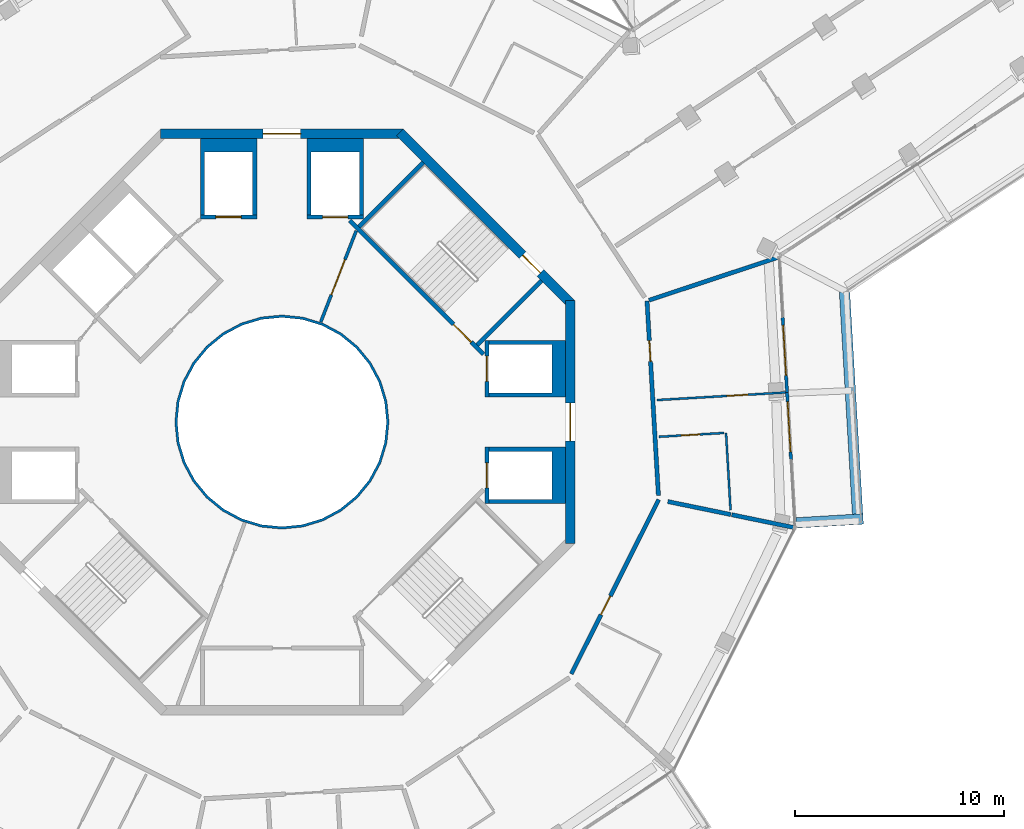
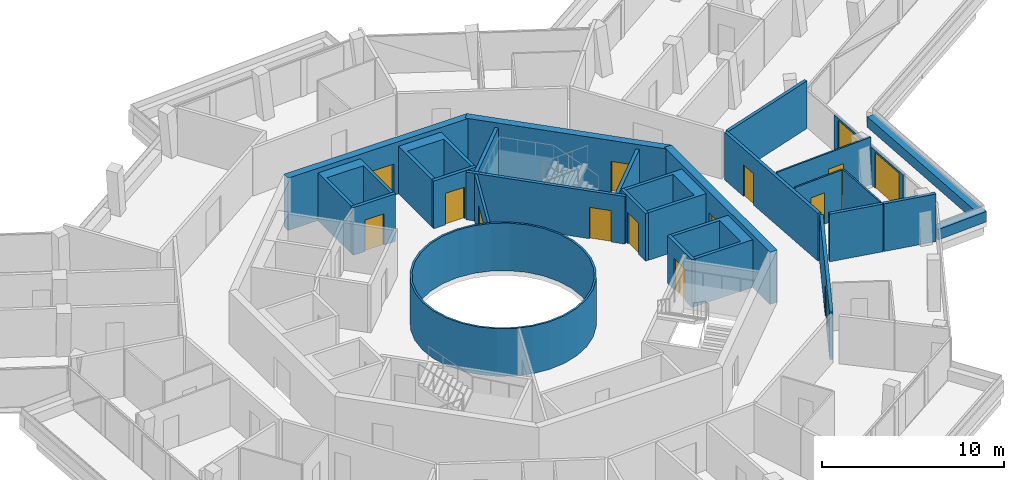
# One storey, part 21 of 26: 28 walls, 15 doors, 15 openings.
"""IFC4 building model written with IfcOpenShell, lengths in metres."""

from ifc_helpers import new_model, si_unit, direction, frame, frame_2d, origin, place, context, subcontext, project, spatial, polyline, rectangle, outline, extrude, material, layer, layer_set, type_object, element, fill, save


model = new_model("IFC4")

# Units and contexts
model_context = context("Model", 3, precision=1e-05, world=origin(), true_north=direction((0.0, 1.0)))
body_context = subcontext(model_context, "Body", "Model", "MODEL_VIEW")
ifc_project = project(units=[si_unit("LENGTHUNIT", "METRE"), si_unit("AREAUNIT", "SQUARE_METRE"), si_unit("VOLUMEUNIT", "CUBIC_METRE"), si_unit("PLANEANGLEUNIT", "RADIAN"), si_unit("MASSUNIT", "GRAM", prefix="KILO")], contexts=[model_context])

# Site, building, storey
site_placement = place(None, origin())
site = spatial("IfcSite", under=ifc_project, at=site_placement, CompositionType="ELEMENT")
building_placement = place(site_placement, origin())
building = spatial("IfcBuilding", under=site, at=building_placement, Name="Verdalira Terraces Hotel", CompositionType="ELEMENT")
storey_placement = place(building_placement, frame((0.0, 0.0, 291.5)))
storey = spatial("IfcBuildingStorey", under=building, at=storey_placement, Name="L72", CompositionType="ELEMENT", Elevation=291.5)

# Walls
ifc_material_1 = material(Name="Fire-resisting glass EI 180", Category="glass")
ifc_layer_1 = layer(ifc_material_1, 0.1201171875)
ifc_layer_set_1 = layer_set([ifc_layer_1], Name="Atrium fire screen 120 mm")
wall_type_1 = type_object("IfcWallType", Name="Atrium fire screen 120 mm", PredefinedType="SOLIDWALL", material=ifc_layer_set_1)
wall_1_placement = place(storey_placement, origin())
element("IfcWall", 1, at=wall_1_placement, inside=storey, type_object=wall_type_1, Name="Atrium fire screen", PredefinedType="SOLIDWALL", context=body_context, shape_type="SweptSolid", body=[
    extrude(outline(polyline([(5.021484, -0.998779), (4.730225, -1.959229), (4.25708, -2.844482), (3.620361, -3.620361), (2.844482, -4.25708), (1.959229, -4.730225), (0.998779, -5.021484), (0.0, -5.120117), (-0.998779, -5.021484), (-1.959229, -4.730225), (-2.844482, -4.25708), (-3.620361, -3.620361), (-4.25708, -2.844482), (-4.730225, -1.959229), (-5.021484, -0.998779), (-5.120117, 0.0), (-5.021484, 0.998779), (-4.730225, 1.959229), (-4.25708, 2.844482), (-3.620361, 3.620361), (-2.844482, 4.25708), (-1.959229, 4.730225), (-0.998779, 5.021484), (0.0, 5.120117), (0.998779, 5.021484), (1.959229, 4.730225), (2.844482, 4.25708), (3.620361, 3.620361), (4.25708, 2.844482), (4.730225, 1.959229), (5.021484, 0.998779), (5.120117, 0.0), (5.021484, -0.998779)]), holes=[polyline([(4.903809, 0.975586), (4.619385, 1.91333), (4.157227, 2.777832), (3.5354, 3.5354), (2.777832, 4.157227), (1.91333, 4.619385), (0.975586, 4.903809), (0.0, 5.0), (-0.975586, 4.903809), (-1.91333, 4.619385), (-2.777832, 4.157227), (-3.5354, 3.5354), (-4.157227, 2.777832), (-4.619385, 1.91333), (-4.903809, 0.975586), (-5.0, 0.0), (-4.903809, -0.975586), (-4.619385, -1.91333), (-4.157227, -2.777832), (-3.5354, -3.5354), (-2.777832, -4.157227), (-1.91333, -4.619385), (-0.975586, -4.903809), (0.0, -5.0), (0.975586, -4.903809), (1.91333, -4.619385), (2.777832, -4.157227), (3.5354, -3.5354), (4.157227, -2.777832), (4.619385, -1.91333), (4.903809, -0.975586), (5.0, 0.0), (4.903809, 0.975586)])]), origin(), (0.0, 0.0, 1.0), 3.189941),
])
ifc_material_2 = material(Name="Concrete C40", Category="concrete")
ifc_layer_2 = layer(ifc_material_2, 0.5)
ifc_layer_set_2 = layer_set([ifc_layer_2], Name="Balcony planter trough with tree")
wall_type_2 = type_object("IfcWallType", Name="Balcony planter trough with tree", PredefinedType="SOLIDWALL", material=ifc_layer_set_2)
wall_2_placement = place(storey_placement, frame((24.583984, -4.817383, 0.0), z_axis=(0.0, 0.0, 1.0), x_axis=(0.998280684, 0.058614646, 0.0)))
element("IfcWall", 2, at=wall_2_placement, inside=storey, type_object=wall_type_2, Name="Balcony planter", PredefinedType="SOLIDWALL", context=body_context, shape_type="SweptSolid", body=[
    extrude(rectangle(XDim=3.198975, YDim=0.5, at=frame_2d((1.599609, 0.0))), origin(), (0.0, 0.0, 1.0), 0.699951),
])
wall_3_placement = place(storey_placement, frame((27.513184, -4.39502, 0.0), z_axis=(0.0, 0.0, 1.0), x_axis=(-0.05860245, 0.9982814, 0.0)))
element("IfcWall", 3, at=wall_3_placement, inside=storey, type_object=wall_type_2, Name="Balcony planter", PredefinedType="SOLIDWALL", context=body_context, shape_type="SweptSolid", body=[
    extrude(rectangle(XDim=10.652588, YDim=0.5, at=frame_2d((5.326172, 0.0))), origin(), (0.0, 0.0, 1.0), 0.699951),
])

# Wall, opening, door
ifc_material_3 = material(Name="Moisture-resistant gypsum board partition")
ifc_layer_3 = layer(ifc_material_3, 0.10009765625)
ifc_layer_set_3 = layer_set([ifc_layer_3], Name="Bathroom partition 100 mm")
wall_type_3 = type_object("IfcWallType", Name="Bathroom partition 100 mm", PredefinedType="PARTITIONING", material=ifc_layer_set_3)
wall_4_placement = place(storey_placement, frame((21.125244, -0.520996, 0.0), z_axis=(0.0, 0.0, 1.0), x_axis=(-0.998277359, -0.05867124, 0.0)))
wall_4 = element("IfcWall", 4, at=wall_4_placement, inside=storey, type_object=wall_type_3, Name="Bathroom partition", PredefinedType="PARTITIONING", context=body_context, shape_type="SweptSolid", body=[
    extrude(rectangle(XDim=3.100098, YDim=0.100098, at=frame_2d((1.550049, 0.0))), origin(), (0.0, 0.0, 1.0), 3.189941),
])
opening_1_placement = place(wall_4_placement, frame((1.149902, 0.0, 0.0)))
opening_1 = element("IfcOpeningElement", 5, at=opening_1_placement, cuts=wall_4, Name="Opening L72-123", PredefinedType="OPENING", context=body_context, shape_type="SweptSolid", body=[
    extrude(rectangle(XDim=0.899902, YDim=2.100098, at=frame_2d((0.449951, 1.050049))), frame((0.0, 0.060059, 0.0), z_axis=(0.0, -1.0, 0.0), x_axis=(1.0, 0.0, 0.0)), (0.0, 0.0, 1.0), 0.120117),
])
ifc_material_4 = material(Name="Timber door", Category="wood")
door_type_1 = type_object("IfcDoorType", Name="Bathroom door 900 x 2100", OperationType="NOTDEFINED", PredefinedType="DOOR", material=ifc_material_4)
door_1_placement = place(opening_1_placement, origin())
door_1 = element("IfcDoor", 6, at=door_1_placement, inside=storey, type_object=door_type_1, Name="Bathroom door 7208", OperationType="SINGLE_SWING_LEFT", OverallHeight=2.10009765625, OverallWidth=0.89990234375, PredefinedType="DOOR", context=body_context, shape_type="SweptSolid", body=[
    extrude(rectangle(XDim=0.899902, YDim=2.100098, at=frame_2d((0.449951, 1.050049))), frame((0.0, 0.024902, 0.0), z_axis=(0.0, -1.0, 0.0), x_axis=(1.0, 0.0, 0.0)), (0.0, 0.0, 1.0), 0.050049),
])
fill(opening_1, door_1)

wall_5_placement = place(storey_placement, frame((24.066895, 1.413086, 0.0), z_axis=(0.0, 0.0, 1.0), x_axis=(-0.998279571, -0.058633592, 0.0)))
wall_5 = element("IfcWall", 7, at=wall_5_placement, inside=storey, type_object=wall_type_3, Name="Bathroom partition", PredefinedType="PARTITIONING", context=body_context, shape_type="SweptSolid", body=[
    extrude(rectangle(XDim=6.149902, YDim=0.100098, at=frame_2d((3.074951, 0.0))), origin(), (0.0, 0.0, 1.0), 3.189941),
])
opening_2_placement = place(wall_5_placement, frame((1.800049, 0.0, 0.0)))
opening_2 = element("IfcOpeningElement", 8, at=opening_2_placement, cuts=wall_5, Name="Opening L72-122", PredefinedType="OPENING", context=body_context, shape_type="SweptSolid", body=[
    extrude(rectangle(XDim=1.0, YDim=2.100098, at=frame_2d((0.5, 1.050049))), frame((0.0, 0.060059, 0.0), z_axis=(0.0, -1.0, 0.0), x_axis=(1.0, 0.0, 0.0)), (0.0, 0.0, 1.0), 0.120117),
])
ifc_material_5 = material(Name="Timber door", Category="wood")
door_type_2 = type_object("IfcDoorType", Name="Suite internal door 1000 x 2100", OperationType="NOTDEFINED", PredefinedType="DOOR", material=ifc_material_5)
door_2_placement = place(opening_2_placement, origin())
door_2 = element("IfcDoor", 9, at=door_2_placement, inside=storey, type_object=door_type_2, Name="Suite internal door 7208", OperationType="SINGLE_SWING_LEFT", OverallHeight=2.10009765625, OverallWidth=1.0, PredefinedType="DOOR", context=body_context, shape_type="SweptSolid", body=[
    extrude(rectangle(XDim=1.0, YDim=2.100098, at=frame_2d((0.5, 1.050049))), frame((0.0, 0.024902, 0.0), z_axis=(0.0, -1.0, 0.0), x_axis=(1.0, 0.0, 0.0)), (0.0, 0.0, 1.0), 0.050049),
])
fill(opening_2, door_2)

# Walls
wall_6_placement = place(storey_placement, frame((21.442139, -4.212891, 0.0), z_axis=(0.0, 0.0, 1.0), x_axis=(-0.058594519, 0.998281865, 0.0)))
element("IfcWall", 10, at=wall_6_placement, inside=storey, type_object=wall_type_3, Name="Bathroom partition", PredefinedType="PARTITIONING", context=body_context, shape_type="SweptSolid", body=[
    extrude(rectangle(XDim=3.704102, YDim=0.100098, at=frame_2d((1.852051, 0.0))), origin(), (0.0, 0.0, 1.0), 3.189941),
])
ifc_material_6 = material(Name="Concrete C50", Category="concrete")
ifc_layer_4 = layer(ifc_material_6, 0.199951171875)
ifc_layer_set_4 = layer_set([ifc_layer_4], Name="Core RC wall 200 C50")
wall_type_4 = type_object("IfcWallType", Name="Core RC wall 200 C50", PredefinedType="SOLIDWALL", material=ifc_layer_set_4)
wall_7_placement = place(storey_placement, origin())
element("IfcWall", 11, at=wall_7_placement, inside=storey, type_object=wall_type_4, Name="L72 shaft wall E1", PredefinedType="SOLIDWALL", context=body_context, shape_type="SweptSolid", body=[
    extrude(outline(polyline([(13.550049, -3.899902), (9.899902, -3.899902), (9.899902, -3.699951), (12.899902, -3.699951), (12.899902, -1.399902), (9.899902, -1.399902), (9.899902, -1.199951), (13.550049, -1.199951), (13.550049, -3.899902)])), origin(), (0.0, 0.0, 1.0), 3.189941),
])

# Wall, opening, door
wall_8_placement = place(storey_placement, frame((9.800049, -1.199951, 0.0), z_axis=(0.0, 0.0, 1.0), x_axis=(0.0, -1.0, 0.0)))
wall_8 = element("IfcWall", 12, at=wall_8_placement, inside=storey, type_object=wall_type_4, Name="L72 shaft front wall E1", PredefinedType="SOLIDWALL", context=body_context, shape_type="SweptSolid", body=[
    extrude(rectangle(XDim=2.699951, YDim=0.199951, at=frame_2d((1.350098, 0.0))), origin(), (0.0, 0.0, 1.0), 3.189941),
])
opening_3_placement = place(wall_8_placement, frame((0.75, 0.0, 0.0)))
opening_3 = element("IfcOpeningElement", 13, at=opening_3_placement, cuts=wall_8, Name="Opening LD-L72-802", PredefinedType="OPENING", context=body_context, shape_type="SweptSolid", body=[
    extrude(rectangle(XDim=1.199951, YDim=2.100098, at=frame_2d((0.600098, 1.050049))), frame((0.0, 0.109863, 0.0), z_axis=(0.0, -1.0, 0.0), x_axis=(1.0, 0.0, 0.0)), (0.0, 0.0, 1.0), 0.219971),
])
ifc_material_7 = material(Name="Stainless steel", Category="steel")
door_type_3 = type_object("IfcDoorType", Name="Landing door 1200 x 2100", OperationType="NOTDEFINED", PredefinedType="DOOR", material=ifc_material_7)
door_3_placement = place(opening_3_placement, origin())
door_3 = element("IfcDoor", 14, at=door_3_placement, inside=storey, type_object=door_type_3, Name="Lift landing door HR1 L72", OperationType="DOUBLE_DOOR_SLIDING", OverallHeight=2.10009765625, OverallWidth=1.199951171875, PredefinedType="DOOR", context=body_context, shape_type="SweptSolid", body=[
    extrude(rectangle(XDim=1.199951, YDim=2.100098, at=frame_2d((0.600098, 1.050049))), frame((0.0, 0.024902, 0.0), z_axis=(0.0, -1.0, 0.0), x_axis=(1.0, 0.0, 0.0)), (0.0, 0.0, 1.0), 0.050049),
])
fill(opening_3, door_3)

# Wall
wall_9_placement = place(storey_placement, origin())
element("IfcWall", 15, at=wall_9_placement, inside=storey, type_object=wall_type_4, Name="L72 shaft wall E2", PredefinedType="SOLIDWALL", context=body_context, shape_type="SweptSolid", body=[
    extrude(outline(polyline([(13.550049, 3.899902), (13.550049, 1.199951), (9.899902, 1.199951), (9.899902, 1.399902), (12.899902, 1.399902), (12.899902, 3.699951), (9.899902, 3.699951), (9.899902, 3.899902), (13.550049, 3.899902)])), origin(), (0.0, 0.0, 1.0), 3.189941),
])

# Wall, opening, door
wall_10_placement = place(storey_placement, frame((9.800049, 1.199951, 0.0), z_axis=(0.0, 0.0, 1.0), x_axis=(0.0, 1.0, 0.0)))
wall_10 = element("IfcWall", 16, at=wall_10_placement, inside=storey, type_object=wall_type_4, Name="L72 shaft front wall E2", PredefinedType="SOLIDWALL", context=body_context, shape_type="SweptSolid", body=[
    extrude(rectangle(XDim=2.699951, YDim=0.199951, at=frame_2d((1.350098, 0.0))), origin(), (0.0, 0.0, 1.0), 3.189941),
])
opening_4_placement = place(wall_10_placement, frame((0.75, 0.0, 0.0)))
opening_4 = element("IfcOpeningElement", 17, at=opening_4_placement, cuts=wall_10, Name="Opening LD-L72-803", PredefinedType="OPENING", context=body_context, shape_type="SweptSolid", body=[
    extrude(rectangle(XDim=1.199951, YDim=2.100098, at=frame_2d((0.600098, 1.050049))), frame((0.0, 0.109863, 0.0), z_axis=(0.0, -1.0, 0.0), x_axis=(1.0, 0.0, 0.0)), (0.0, 0.0, 1.0), 0.219971),
])
door_4_placement = place(opening_4_placement, origin())
door_4 = element("IfcDoor", 18, at=door_4_placement, inside=storey, type_object=door_type_3, Name="Lift landing door HR2 L72", OperationType="DOUBLE_DOOR_SLIDING", OverallHeight=2.10009765625, OverallWidth=1.199951171875, PredefinedType="DOOR", context=body_context, shape_type="SweptSolid", body=[
    extrude(rectangle(XDim=1.199951, YDim=2.100098, at=frame_2d((0.600098, 1.050049))), frame((0.0, 0.024902, 0.0), z_axis=(0.0, -1.0, 0.0), x_axis=(1.0, 0.0, 0.0)), (0.0, 0.0, 1.0), 0.050049),
])
fill(opening_4, door_4)

# Wall
wall_11_placement = place(storey_placement, origin())
element("IfcWall", 19, at=wall_11_placement, inside=storey, type_object=wall_type_4, Name="L72 shaft wall N1", PredefinedType="SOLIDWALL", context=body_context, shape_type="SweptSolid", body=[
    extrude(outline(polyline([(3.899902, 9.899902), (3.699951, 9.899902), (3.699951, 12.899902), (1.399902, 12.899902), (1.399902, 9.899902), (1.199951, 9.899902), (1.199951, 13.550049), (3.899902, 13.550049), (3.899902, 9.899902)])), origin(), (0.0, 0.0, 1.0), 3.189941),
])

# Wall, opening, door
wall_12_placement = place(storey_placement, frame((1.199951, 9.800049, 0.0), z_axis=(0.0, 0.0, 1.0), x_axis=(1.0, 0.0, 0.0)))
wall_12 = element("IfcWall", 20, at=wall_12_placement, inside=storey, type_object=wall_type_4, Name="L72 shaft front wall N1", PredefinedType="SOLIDWALL", context=body_context, shape_type="SweptSolid", body=[
    extrude(rectangle(XDim=2.699951, YDim=0.199951, at=frame_2d((1.350098, 0.0))), origin(), (0.0, 0.0, 1.0), 3.189941),
])
opening_5_placement = place(wall_12_placement, frame((0.75, 0.0, 0.0)))
opening_5 = element("IfcOpeningElement", 21, at=opening_5_placement, cuts=wall_12, Name="Opening LD-L72-804", PredefinedType="OPENING", context=body_context, shape_type="SweptSolid", body=[
    extrude(rectangle(XDim=1.199951, YDim=2.100098, at=frame_2d((0.600098, 1.050049))), frame((0.0, 0.109863, 0.0), z_axis=(0.0, -1.0, 0.0), x_axis=(1.0, 0.0, 0.0)), (0.0, 0.0, 1.0), 0.219971),
])
door_5_placement = place(opening_5_placement, origin())
door_5 = element("IfcDoor", 22, at=door_5_placement, inside=storey, type_object=door_type_3, Name="Lift landing door HR3 L72", OperationType="DOUBLE_DOOR_SLIDING", OverallHeight=2.10009765625, OverallWidth=1.199951171875, PredefinedType="DOOR", context=body_context, shape_type="SweptSolid", body=[
    extrude(rectangle(XDim=1.199951, YDim=2.100098, at=frame_2d((0.600098, 1.050049))), frame((0.0, 0.024902, 0.0), z_axis=(0.0, -1.0, 0.0), x_axis=(1.0, 0.0, 0.0)), (0.0, 0.0, 1.0), 0.050049),
])
fill(opening_5, door_5)

# Wall
wall_13_placement = place(storey_placement, origin())
element("IfcWall", 23, at=wall_13_placement, inside=storey, type_object=wall_type_4, Name="L72 shaft wall N2", PredefinedType="SOLIDWALL", context=body_context, shape_type="SweptSolid", body=[
    extrude(outline(polyline([(-3.899902, 13.550049), (-1.199951, 13.550049), (-1.199951, 9.899902), (-1.399902, 9.899902), (-1.399902, 12.899902), (-3.699951, 12.899902), (-3.699951, 9.899902), (-3.899902, 9.899902), (-3.899902, 13.550049)])), origin(), (0.0, 0.0, 1.0), 3.189941),
])

# Wall, opening, door
wall_14_placement = place(storey_placement, frame((-1.199951, 9.800049, 0.0), z_axis=(0.0, 0.0, 1.0), x_axis=(-1.0, 0.0, 0.0)))
wall_14 = element("IfcWall", 24, at=wall_14_placement, inside=storey, type_object=wall_type_4, Name="L72 shaft front wall N2", PredefinedType="SOLIDWALL", context=body_context, shape_type="SweptSolid", body=[
    extrude(rectangle(XDim=2.699951, YDim=0.199951, at=frame_2d((1.350098, 0.0))), origin(), (0.0, 0.0, 1.0), 3.189941),
])
opening_6_placement = place(wall_14_placement, frame((0.75, 0.0, 0.0)))
opening_6 = element("IfcOpeningElement", 25, at=opening_6_placement, cuts=wall_14, Name="Opening LD-L72-805", PredefinedType="OPENING", context=body_context, shape_type="SweptSolid", body=[
    extrude(rectangle(XDim=1.199951, YDim=2.100098, at=frame_2d((0.600098, 1.050049))), frame((0.0, 0.109863, 0.0), z_axis=(0.0, -1.0, 0.0), x_axis=(1.0, 0.0, 0.0)), (0.0, 0.0, 1.0), 0.219971),
])
door_6_placement = place(opening_6_placement, origin())
door_6 = element("IfcDoor", 26, at=door_6_placement, inside=storey, type_object=door_type_3, Name="Lift landing door HR4 L72", OperationType="DOUBLE_DOOR_SLIDING", OverallHeight=2.10009765625, OverallWidth=1.199951171875, PredefinedType="DOOR", context=body_context, shape_type="SweptSolid", body=[
    extrude(rectangle(XDim=1.199951, YDim=2.100098, at=frame_2d((0.600098, 1.050049))), frame((0.0, 0.024902, 0.0), z_axis=(0.0, -1.0, 0.0), x_axis=(1.0, 0.0, 0.0)), (0.0, 0.0, 1.0), 0.050049),
])
fill(opening_6, door_6)

wall_15_placement = place(storey_placement, frame((3.23999, 9.629395, 0.0), z_axis=(0.0, 0.0, 1.0), x_axis=(0.707106781, -0.707106781, 0.0)))
wall_15 = element("IfcWall", 27, at=wall_15_placement, inside=storey, type_object=wall_type_4, Name="L72 stair ST1 front wall", PredefinedType="SOLIDWALL", context=body_context, shape_type="SweptSolid", body=[
    extrude(rectangle(XDim=9.035889, YDim=0.199951, at=frame_2d((4.518066, 0.0))), origin(), (0.0, 0.0, 1.0), 3.189941),
])
opening_7_placement = place(wall_15_placement, frame((7.017822, 0.0, 0.0)))
opening_7 = element("IfcOpeningElement", 28, at=opening_7_placement, cuts=wall_15, Name="Opening L72-810", PredefinedType="OPENING", context=body_context, shape_type="SweptSolid", body=[
    extrude(rectangle(XDim=1.199951, YDim=2.100098, at=frame_2d((0.600098, 1.050049))), frame((0.0, 0.109863, 0.0), z_axis=(0.0, -1.0, 0.0), x_axis=(1.0, 0.0, 0.0)), (0.0, 0.0, 1.0), 0.219971),
])
ifc_material_8 = material(Name="Steel fire door", Category="steel")
door_type_4 = type_object("IfcDoorType", Name="Stair door 1200 x 2100", OperationType="NOTDEFINED", PredefinedType="DOOR", material=ifc_material_8)
door_7_placement = place(opening_7_placement, origin())
door_7 = element("IfcDoor", 29, at=door_7_placement, inside=storey, type_object=door_type_4, Name="Stair door ST1 L72", OperationType="SINGLE_SWING_RIGHT", OverallHeight=2.10009765625, OverallWidth=1.199951171875, PredefinedType="DOOR", context=body_context, shape_type="SweptSolid", body=[
    extrude(rectangle(XDim=1.199951, YDim=2.100098, at=frame_2d((0.600098, 1.050049))), frame((0.0, 0.024902, 0.0), z_axis=(0.0, -1.0, 0.0), x_axis=(1.0, 0.0, 0.0)), (0.0, 0.0, 1.0), 0.050049),
])
fill(opening_7, door_7)

# Walls
for number, where, z_axis, x_axis, name in (
    (30, (9.33374, 3.677002, 0.0), (0.0, 0.0, 1.0), (0.707106781, 0.707106781, 0.0), "L72 stair ST1 end wall 1"),
    (31, (3.677002, 9.33374, 0.0), (0.0, 0.0, 1.0), (0.707106781, 0.707106781, 0.0), "L72 stair ST1 end wall 2"),
):
    element("IfcWall", number, at=place(storey_placement, frame(where, z_axis=z_axis, x_axis=x_axis)), inside=storey, type_object=wall_type_4, Name=name, PredefinedType="SOLIDWALL", context=body_context, shape_type="SweptSolid", body=[
        extrude(rectangle(XDim=4.350098, YDim=0.199951, at=frame_2d((2.175049, 0.0))), origin(), (0.0, 0.0, 1.0), 3.189941),
    ])

# Wall, opening, door
ifc_material_9 = material(Name="Gypsum board partition")
ifc_layer_5 = layer(ifc_material_9, 0.14990234375)
ifc_layer_set_5 = layer_set([ifc_layer_5], Name="Core partition 150 mm")
wall_type_5 = type_object("IfcWallType", Name="Core partition 150 mm", PredefinedType="PARTITIONING", material=ifc_layer_set_5)
wall_16_placement = place(storey_placement, frame((1.857178, 4.781982, 0.0), z_axis=(0.0, 0.0, 1.0), x_axis=(0.36202798, 0.932167228, 0.0)))
wall_16 = element("IfcWall", 32, at=wall_16_placement, inside=storey, type_object=wall_type_5, Name="Gallery fire partition L72", PredefinedType="PARTITIONING", context=body_context, shape_type="SweptSolid", body=[
    extrude(rectangle(XDim=4.676025, YDim=0.149902, at=frame_2d((2.337891, 0.0))), origin(), (0.0, 0.0, 1.0), 3.189941),
])
opening_8_placement = place(wall_16_placement, frame((1.399902, 0.0, 0.0)))
opening_8 = element("IfcOpeningElement", 33, at=opening_8_placement, cuts=wall_16, Name="Opening L72-823", PredefinedType="OPENING", context=body_context, shape_type="SweptSolid", body=[
    extrude(rectangle(XDim=1.800049, YDim=2.100098, at=frame_2d((0.899902, 1.050049))), frame((0.0, 0.084961, 0.0), z_axis=(0.0, -1.0, 0.0), x_axis=(1.0, 0.0, 0.0)), (0.0, 0.0, 1.0), 0.169922),
])
ifc_material_10 = material(Name="Steel fire door", Category="steel")
door_type_5 = type_object("IfcDoorType", Name="Gallery fire door pair 1800 x 2100", OperationType="NOTDEFINED", PredefinedType="DOOR", material=ifc_material_10)
door_8_placement = place(opening_8_placement, origin())
door_8 = element("IfcDoor", 34, at=door_8_placement, inside=storey, type_object=door_type_5, Name="Door L72 split1", OperationType="DOUBLE_DOOR_SINGLE_SWING", OverallHeight=2.10009765625, OverallWidth=1.800048828125, PredefinedType="DOOR", context=body_context, shape_type="SweptSolid", body=[
    extrude(rectangle(XDim=1.800049, YDim=2.100098, at=frame_2d((0.899902, 1.050049))), frame((0.0, 0.024902, 0.0), z_axis=(0.0, -1.0, 0.0), x_axis=(1.0, 0.0, 0.0)), (0.0, 0.0, 1.0), 0.050049),
])
fill(opening_8, door_8)

ifc_material_11 = material(Name="Concrete C50", Category="concrete")
ifc_layer_6 = layer(ifc_material_11, 0.449951171875)
ifc_layer_set_6 = layer_set([ifc_layer_6], Name="Core wall 450 C50")
wall_type_6 = type_object("IfcWallType", Name="Core wall 450 C50", PredefinedType="SHEAR", material=ifc_layer_set_6)
wall_17_placement = place(storey_placement, frame((13.774902, -5.799072, 0.0), z_axis=(0.0, 0.0, 1.0), x_axis=(0.0, 1.0, 0.0)))
wall_17 = element("IfcWall", 35, at=wall_17_placement, inside=storey, type_object=wall_type_6, Name="Core wall CW-L72-1", PredefinedType="SHEAR", context=body_context, shape_type="SweptSolid", body=[
    extrude(rectangle(XDim=11.598145, YDim=0.449951, at=frame_2d((5.799072, 0.0))), origin(), (0.0, 0.0, 1.0), 3.5),
])
opening_9_placement = place(wall_17_placement, frame((4.898926, 0.0, 0.0)))
opening_9 = element("IfcOpeningElement", 36, at=opening_9_placement, cuts=wall_17, Name="Opening L72-813", PredefinedType="OPENING", context=body_context, shape_type="SweptSolid", body=[
    extrude(rectangle(XDim=1.800049, YDim=2.100098, at=frame_2d((0.899902, 1.050049))), frame((0.0, 0.234863, 0.0), z_axis=(0.0, -1.0, 0.0), x_axis=(1.0, 0.0, 0.0)), (0.0, 0.0, 1.0), 0.469971),
])
ifc_material_12 = material(Name="Steel fire door", Category="steel")
door_type_6 = type_object("IfcDoorType", Name="Core entry door pair 1800 x 2100", OperationType="NOTDEFINED", PredefinedType="DOOR", material=ifc_material_12)
door_9_placement = place(opening_9_placement, origin())
door_9 = element("IfcDoor", 37, at=door_9_placement, inside=storey, type_object=door_type_6, Name="Core entry door L72 0", OperationType="DOUBLE_DOOR_SINGLE_SWING", OverallHeight=2.10009765625, OverallWidth=1.800048828125, PredefinedType="DOOR", context=body_context, shape_type="SweptSolid", body=[
    extrude(rectangle(XDim=1.800049, YDim=2.100098, at=frame_2d((0.899902, 1.050049))), frame((0.0, 0.024902, 0.0), z_axis=(0.0, -1.0, 0.0), x_axis=(1.0, 0.0, 0.0)), (0.0, 0.0, 1.0), 0.050049),
])
fill(opening_9, door_9)

wall_18_placement = place(storey_placement, frame((13.84082, 5.639893, 0.0), z_axis=(0.0, 0.0, 1.0), x_axis=(-0.707106781, 0.707106781, 0.0)))
wall_18 = element("IfcWall", 38, at=wall_18_placement, inside=storey, type_object=wall_type_6, Name="Core wall CW-L72-2", PredefinedType="SHEAR", context=body_context, shape_type="SweptSolid", body=[
    extrude(rectangle(XDim=11.5979, YDim=0.449951, at=frame_2d((5.798828, 0.0))), origin(), (0.0, 0.0, 1.0), 3.5),
])
opening_10_placement = place(wall_18_placement, frame((2.099121, 0.0, 0.0)))
opening_10 = element("IfcOpeningElement", 39, at=opening_10_placement, cuts=wall_18, Name="Opening L72-816", PredefinedType="OPENING", context=body_context, shape_type="SweptSolid", body=[
    extrude(rectangle(XDim=1.199951, YDim=2.100098, at=frame_2d((0.600098, 1.050049))), frame((0.0, 0.234863, 0.0), z_axis=(0.0, -1.0, 0.0), x_axis=(1.0, 0.0, 0.0)), (0.0, 0.0, 1.0), 0.469971),
])
door_10_placement = place(opening_10_placement, origin())
door_10 = element("IfcDoor", 40, at=door_10_placement, inside=storey, type_object=door_type_4, Name="Stair exit door ST1 L72", OperationType="SINGLE_SWING_LEFT", OverallHeight=2.10009765625, OverallWidth=1.199951171875, PredefinedType="DOOR", context=body_context, shape_type="SweptSolid", body=[
    extrude(rectangle(XDim=1.199951, YDim=2.100098, at=frame_2d((0.600098, 1.050049))), frame((0.0, 0.024902, 0.0), z_axis=(0.0, -1.0, 0.0), x_axis=(1.0, 0.0, 0.0)), (0.0, 0.0, 1.0), 0.050049),
])
fill(opening_10, door_10)

wall_19_placement = place(storey_placement, frame((5.799072, 13.774902, 0.0), z_axis=(0.0, 0.0, 1.0), x_axis=(-1.0, 0.0, 0.0)))
wall_19 = element("IfcWall", 41, at=wall_19_placement, inside=storey, type_object=wall_type_6, Name="Core wall CW-L72-3", PredefinedType="SHEAR", context=body_context, shape_type="SweptSolid", body=[
    extrude(rectangle(XDim=11.598145, YDim=0.449951, at=frame_2d((5.799072, 0.0))), origin(), (0.0, 0.0, 1.0), 3.5),
])
opening_11_placement = place(wall_19_placement, frame((4.898926, 0.0, 0.0)))
opening_11 = element("IfcOpeningElement", 42, at=opening_11_placement, cuts=wall_19, Name="Opening L72-814", PredefinedType="OPENING", context=body_context, shape_type="SweptSolid", body=[
    extrude(rectangle(XDim=1.800049, YDim=2.100098, at=frame_2d((0.899902, 1.050049))), frame((0.0, 0.234863, 0.0), z_axis=(0.0, -1.0, 0.0), x_axis=(1.0, 0.0, 0.0)), (0.0, 0.0, 1.0), 0.469971),
])
door_11_placement = place(opening_11_placement, origin())
door_11 = element("IfcDoor", 43, at=door_11_placement, inside=storey, type_object=door_type_6, Name="Core entry door L72 2", OperationType="DOUBLE_DOOR_SINGLE_SWING", OverallHeight=2.10009765625, OverallWidth=1.800048828125, PredefinedType="DOOR", context=body_context, shape_type="SweptSolid", body=[
    extrude(rectangle(XDim=1.800049, YDim=2.100098, at=frame_2d((0.899902, 1.050049))), frame((0.0, 0.024902, 0.0), z_axis=(0.0, -1.0, 0.0), x_axis=(1.0, 0.0, 0.0)), (0.0, 0.0, 1.0), 0.050049),
])
fill(opening_11, door_11)

# Walls
ifc_material_13 = material(Name="Fire-rated gypsum board wall")
ifc_layer_7 = layer(ifc_material_13, 0.199951171875)
ifc_layer_set_7 = layer_set([ifc_layer_7], Name="Demising wall 200 mm")
wall_type_7 = type_object("IfcWallType", Name="Demising wall 200 mm", PredefinedType="SOLIDWALL", material=ifc_layer_set_7)
wall_20_placement = place(storey_placement, frame((18.444824, -3.799561, 0.0), z_axis=(0.0, 0.0, 1.0), x_axis=(0.979434435, -0.2017627, 0.0)))
element("IfcWall", 44, at=wall_20_placement, inside=storey, type_object=wall_type_7, Name="Demising wall", PredefinedType="SOLIDWALL", context=body_context, shape_type="SweptSolid", body=[
    extrude(rectangle(XDim=3.074707, YDim=0.199951, at=frame_2d((1.537354, 0.0))), origin(), (0.0, 0.0, 1.0), 3.189941),
])
wall_21_placement = place(storey_placement, frame((23.693359, 7.863281, 0.0), z_axis=(0.0, 0.0, 1.0), x_axis=(-0.949097182, -0.314983395, 0.0)))
element("IfcWall", 45, at=wall_21_placement, inside=storey, type_object=wall_type_7, Name="Demising wall", PredefinedType="SOLIDWALL", context=body_context, shape_type="SweptSolid", body=[
    extrude(rectangle(XDim=6.47583, YDim=0.199951, at=frame_2d((3.237793, 0.0))), origin(), (0.0, 0.0, 1.0), 3.189941),
])
wall_22_placement = place(storey_placement, frame((21.501221, -4.429199, 0.0), z_axis=(0.0, 0.0, 1.0), x_axis=(0.979429248, -0.201787882, 0.0)))
element("IfcWall", 46, at=wall_22_placement, inside=storey, type_object=wall_type_7, Name="Demising wall", PredefinedType="SOLIDWALL", context=body_context, shape_type="SweptSolid", body=[
    extrude(rectangle(XDim=3.011475, YDim=0.199951, at=frame_2d((1.505859, 0.0))), origin(), (0.0, 0.0, 1.0), 3.189941),
])

# Wall, opening, door
ifc_material_14 = material(Name="Fire-rated gypsum board wall")
ifc_layer_8 = layer(ifc_material_14, 0.199951171875)
ifc_layer_set_8 = layer_set([ifc_layer_8], Name="Guest corridor wall 200 mm")
wall_type_8 = type_object("IfcWallType", Name="Guest corridor wall 200 mm", PredefinedType="SOLIDWALL", material=ifc_layer_set_8)
wall_23_placement = place(storey_placement, frame((18.006592, -3.709473, 0.0), z_axis=(0.0, 0.0, 1.0), x_axis=(-0.448376743, -0.893844671, 0.0)))
wall_23 = element("IfcWall", 47, at=wall_23_placement, inside=storey, type_object=wall_type_8, Name="Guest corridor wall", PredefinedType="SOLIDWALL", context=body_context, shape_type="SweptSolid", body=[
    extrude(rectangle(XDim=9.316406, YDim=0.199951, at=frame_2d((4.658203, 0.0))), origin(), (0.0, 0.0, 1.0), 3.189941),
])
opening_12_placement = place(wall_23_placement, frame((5.149902, 0.0, 0.0)))
opening_12 = element("IfcOpeningElement", 48, at=opening_12_placement, cuts=wall_23, Name="Opening L72-119", PredefinedType="OPENING", context=body_context, shape_type="SweptSolid", body=[
    extrude(rectangle(XDim=1.0, YDim=2.100098, at=frame_2d((0.5, 1.050049))), frame((0.0, 0.109863, 0.0), z_axis=(0.0, -1.0, 0.0), x_axis=(1.0, 0.0, 0.0)), (0.0, 0.0, 1.0), 0.219971),
])
ifc_material_15 = material(Name="Timber fire door", Category="wood")
door_type_7 = type_object("IfcDoorType", Name="Guest entry door 1000 x 2100", OperationType="NOTDEFINED", PredefinedType="DOOR", material=ifc_material_15)
door_12_placement = place(opening_12_placement, origin())
door_12 = element("IfcDoor", 49, at=door_12_placement, inside=storey, type_object=door_type_7, Name="Guest entry door 7207", OperationType="SINGLE_SWING_LEFT", OverallHeight=2.10009765625, OverallWidth=1.0, PredefinedType="DOOR", context=body_context, shape_type="SweptSolid", body=[
    extrude(rectangle(XDim=1.0, YDim=2.100098, at=frame_2d((0.5, 1.050049))), frame((0.0, 0.024902, 0.0), z_axis=(0.0, -1.0, 0.0), x_axis=(1.0, 0.0, 0.0)), (0.0, 0.0, 1.0), 0.050049),
])
fill(opening_12, door_12)

wall_24_placement = place(storey_placement, frame((17.448975, 5.791016, 0.0), z_axis=(0.0, 0.0, 1.0), x_axis=(0.058619102, -0.998280422, 0.0)))
wall_24 = element("IfcWall", 50, at=wall_24_placement, inside=storey, type_object=wall_type_8, Name="Guest corridor wall", PredefinedType="SOLIDWALL", context=body_context, shape_type="SweptSolid", body=[
    extrude(rectangle(XDim=9.316895, YDim=0.199951, at=frame_2d((4.658447, 0.0))), origin(), (0.0, 0.0, 1.0), 3.189941),
])
opening_13_placement = place(wall_24_placement, frame((1.899902, 0.0, 0.0)))
opening_13 = element("IfcOpeningElement", 51, at=opening_13_placement, cuts=wall_24, Name="Opening L72-121", PredefinedType="OPENING", context=body_context, shape_type="SweptSolid", body=[
    extrude(rectangle(XDim=1.0, YDim=2.100098, at=frame_2d((0.5, 1.050049))), frame((0.0, 0.109863, 0.0), z_axis=(0.0, -1.0, 0.0), x_axis=(1.0, 0.0, 0.0)), (0.0, 0.0, 1.0), 0.219971),
])
door_13_placement = place(opening_13_placement, origin())
door_13 = element("IfcDoor", 52, at=door_13_placement, inside=storey, type_object=door_type_7, Name="Guest entry door 7208", OperationType="SINGLE_SWING_LEFT", OverallHeight=2.10009765625, OverallWidth=1.0, PredefinedType="DOOR", context=body_context, shape_type="SweptSolid", body=[
    extrude(rectangle(XDim=1.0, YDim=2.100098, at=frame_2d((0.5, 1.050049))), frame((0.0, 0.024902, 0.0), z_axis=(0.0, -1.0, 0.0), x_axis=(1.0, 0.0, 0.0)), (0.0, 0.0, 1.0), 0.050049),
])
fill(opening_13, door_13)

ifc_material_16 = material(Name="Terracotta cladding", Category="masonry")
ifc_layer_9 = layer(ifc_material_16, 0.14990234375)
ifc_layer_set_9 = layer_set([ifc_layer_9], Name="Terracotta door pier 150")
wall_type_9 = type_object("IfcWallType", Name="Terracotta door pier 150", PredefinedType="SOLIDWALL", material=ifc_layer_set_9)
wall_25_placement = place(storey_placement, frame((24.332275, -1.827148, 0.0), z_axis=(0.0, 0.0, 1.0), x_axis=(-0.058589922, 0.998282135, 0.0)))
wall_25 = element("IfcWall", 53, at=wall_25_placement, inside=storey, type_object=wall_type_9, Name="Terracotta door pier", PredefinedType="SOLIDWALL", context=body_context, shape_type="SweptSolid", body=[
    extrude(rectangle(XDim=3.250244, YDim=0.149902, at=frame_2d((1.625, 0.0))), origin(), (0.0, 0.0, 1.0), 2.524902),
])
opening_14_placement = place(wall_25_placement, frame((0.399902, 0.0, 0.0)))
opening_14 = element("IfcOpeningElement", 54, at=opening_14_placement, cuts=wall_25, Name="Opening L72-B10", PredefinedType="OPENING", context=body_context, shape_type="SweptSolid", body=[
    extrude(rectangle(XDim=2.399902, YDim=2.399902, at=frame_2d((1.199951, 1.199951))), frame((0.0, 0.084961, 0.0), z_axis=(0.0, -1.0, 0.0), x_axis=(1.0, 0.0, 0.0)), (0.0, 0.0, 1.0), 0.169922),
])
ifc_material_17 = material(Name="Clear glass", Category="glass")
door_type_8 = type_object("IfcDoorType", Name="Balcony sliding door 2400x2400", OperationType="NOTDEFINED", PredefinedType="DOOR", material=ifc_material_17)
door_14_placement = place(opening_14_placement, origin())
door_14 = element("IfcDoor", 55, at=door_14_placement, inside=storey, type_object=door_type_8, Name="Balcony sliding door", OperationType="SLIDING_TO_RIGHT", OverallHeight=2.39990234375, OverallWidth=2.39990234375, PredefinedType="DOOR", context=body_context, shape_type="SweptSolid", body=[
    extrude(rectangle(XDim=2.399902, YDim=2.399902, at=frame_2d((1.199951, 1.199951))), frame((0.0, 0.024902, 0.0), z_axis=(0.0, -1.0, 0.0), x_axis=(1.0, 0.0, 0.0)), (0.0, 0.0, 1.0), 0.050049),
])
fill(opening_14, door_14)

wall_26_placement = place(storey_placement, frame((24.141846, 1.41748, 0.0), z_axis=(0.0, 0.0, 1.0), x_axis=(-0.058615017, 0.998280662, 0.0)))
wall_26 = element("IfcWall", 56, at=wall_26_placement, inside=storey, type_object=wall_type_9, Name="Terracotta door pier", PredefinedType="SOLIDWALL", context=body_context, shape_type="SweptSolid", body=[
    extrude(rectangle(XDim=3.611084, YDim=0.149902, at=frame_2d((1.805664, 0.0))), origin(), (0.0, 0.0, 1.0), 2.524902),
])
opening_15_placement = place(wall_26_placement, frame((0.811279, 0.0, 0.0)))
opening_15 = element("IfcOpeningElement", 57, at=opening_15_placement, cuts=wall_26, Name="Opening L72-B11", PredefinedType="OPENING", context=body_context, shape_type="SweptSolid", body=[
    extrude(rectangle(XDim=2.399902, YDim=2.399902, at=frame_2d((1.199951, 1.199951))), frame((0.0, 0.084961, 0.0), z_axis=(0.0, -1.0, 0.0), x_axis=(1.0, 0.0, 0.0)), (0.0, 0.0, 1.0), 0.169922),
])
door_15_placement = place(opening_15_placement, origin())
door_15 = element("IfcDoor", 58, at=door_15_placement, inside=storey, type_object=door_type_8, Name="Balcony sliding door", OperationType="SLIDING_TO_LEFT", OverallHeight=2.39990234375, OverallWidth=2.39990234375, PredefinedType="DOOR", context=body_context, shape_type="SweptSolid", body=[
    extrude(rectangle(XDim=2.399902, YDim=2.399902, at=frame_2d((1.199951, 1.199951))), frame((0.0, 0.024902, 0.0), z_axis=(0.0, -1.0, 0.0), x_axis=(1.0, 0.0, 0.0)), (0.0, 0.0, 1.0), 0.050049),
])
fill(opening_15, door_15)

save(model, "model.ifc")
